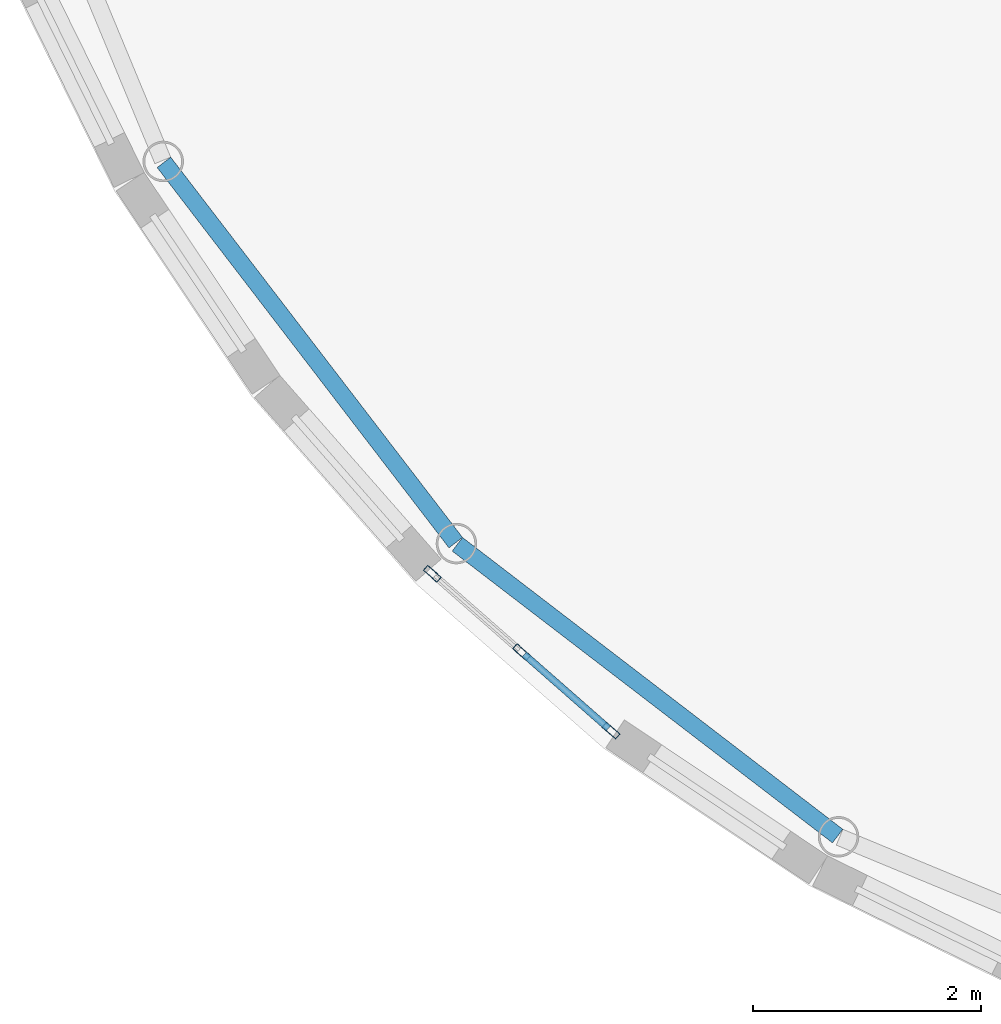
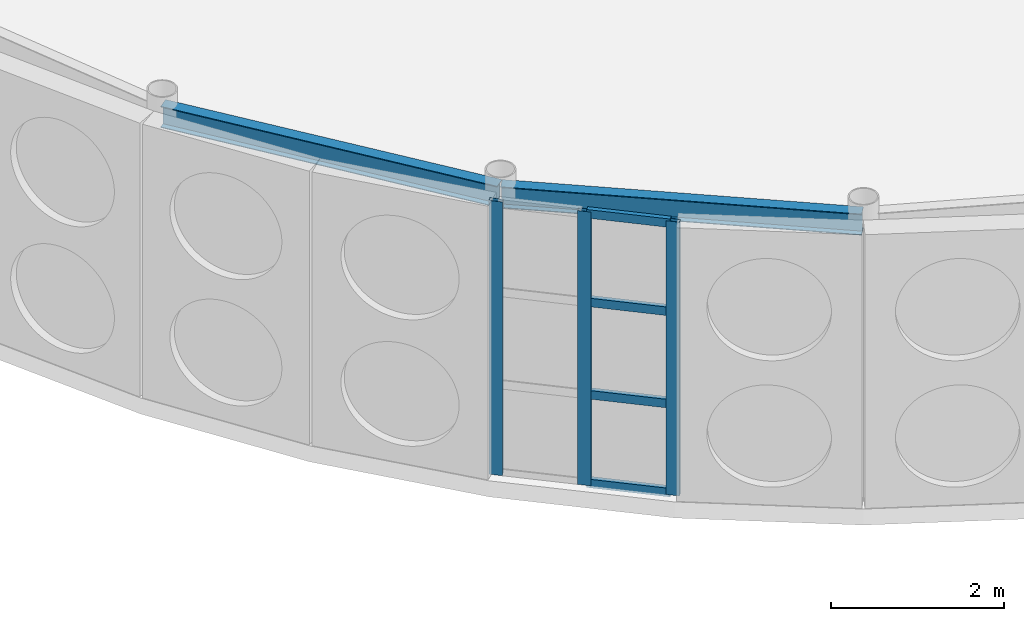
# One storey, part 49 of 165: 7 members, 2 beams, 1 element without a shape of its own.
"""IFC4 building model written with IfcOpenShell, lengths in metres."""

from ifc_helpers import new_model, si_unit, direction, frame, origin, origin_2d, place, context, subcontext, project, spatial, hollow_rectangle, i_section, extrude, material, layer, layer_set, material_profile, profile_set, type_object, element, aggregate, save


model = new_model("IFC4")

# Units and contexts
model_context = context("Model", 3, precision=1e-05, world=origin(), true_north=direction((0.0, 1.0)))
body_context = subcontext(model_context, "Body", "Model", "MODEL_VIEW")
ifc_project = project(units=[si_unit("LENGTHUNIT", "METRE"), si_unit("AREAUNIT", "SQUARE_METRE"), si_unit("VOLUMEUNIT", "CUBIC_METRE"), si_unit("PLANEANGLEUNIT", "RADIAN"), si_unit("MASSUNIT", "GRAM", prefix="KILO")], contexts=[model_context])

# Site, building, storey
site_placement = place(None, origin())
site = spatial("IfcSite", under=ifc_project, at=site_placement, CompositionType="ELEMENT")
building_placement = place(site_placement, origin())
building = spatial("IfcBuilding", under=site, at=building_placement, Name="Montecoro Central Library", CompositionType="ELEMENT")
storey_placement = place(building_placement, frame((0.0, 0.0, 5.10009765625)))
storey = spatial("IfcBuildingStorey", under=building, at=storey_placement, Name="L01", CompositionType="ELEMENT", Elevation=5.10009765625)

# Beams
ifc_material_1 = material(Name="Steel S355", Category="steel")
ifc_material_profile_1 = material_profile(ifc_material_1, i_section(OverallWidth=0.14990234375, OverallDepth=0.300048828125, WebThickness=0.007080078125, FlangeThickness=0.0107421875, at=origin_2d()), Name="IPE 300")
ifc_profile_set_1 = profile_set([ifc_material_profile_1], Name="Steel S355")
beam_type = type_object("IfcBeamType", Name="BM-SP-IPE300", PredefinedType="SPANDREL", material=ifc_profile_set_1)
for number, where, z_axis, x_axis, name in (
    (1, (77.593994140625, 27.302001953125, 3.704833984375), (0.608772883181, -0.793344551064, 0.0), (0.793344551064, 0.608772883181, 0.0), "V1-L01-RING-15"),
    (2, (80.1669921875, 23.952880859375, 3.704833984375), (0.793372600918, -0.608736327249, 0.0), (0.608736327249, 0.793372600918, 0.0), "V1-L01-RING-16"),
):
    element("IfcBeam", number, at=place(storey_placement, frame(where, z_axis=z_axis, x_axis=x_axis)), inside=storey, type_object=beam_type, Name=name, PredefinedType="SPANDREL", context=body_context, shape_type="SweptSolid", body=[
        extrude(i_section(OverallWidth=0.14990234375, OverallDepth=0.300048828125, WebThickness=0.007080078125, FlangeThickness=0.0107421875, at=origin_2d()), origin(), (0.0, 0.0, 1.0), 4.20361328125),
    ])

# Curtain wall, members
ifc_material_2 = material(Name="Bronze-anodised aluminium and low-E glazing", Category="aluminium")
ifc_layer = layer(ifc_material_2, 0.159912109375)
ifc_layer_set = layer_set([ifc_layer], Name="Bronze-anodised aluminium and low-E glazing")
curtain_wall_type = type_object("IfcCurtainWallType", Name="CWT-003", PredefinedType="NOTDEFINED", material=ifc_layer_set)
curtain_wall_placement = place(storey_placement, origin())
curtain_wall = element("IfcCurtainWall", 3, at=curtain_wall_placement, inside=storey, type_object=curtain_wall_type, Name="V1-L01-CW-31", PredefinedType="NOTDEFINED")
ifc_material_3 = material(Name="Bronze-anodised aluminium", Category="aluminium")
ifc_material_profile_2 = material_profile(ifc_material_3, hollow_rectangle(XDim=0.06005859375, YDim=0.159912109375, WallThickness=0.00390625, at=origin_2d()), Name="CWM 160x60x4.0")
ifc_profile_set_2 = profile_set([ifc_material_profile_2], Name="Bronze-anodised aluminium")
member_type_1 = type_object("IfcMemberType", Name="CWM-BRZ-60", PredefinedType="MULLION", material=ifc_profile_set_2)
member_1_placement = place(storey_placement, frame((79.947509765625, 23.694091796875, 0.0), z_axis=(0.0, 0.0, 1.0), x_axis=(0.659692012485, 0.751536059457, 0.0)))
member_1 = element("IfcMember", 4, at=member_1_placement, type_object=member_type_1, Name="CW-003 mullion 1", PredefinedType="MULLION", context=body_context, shape_type="SweptSolid", body=[
    extrude(hollow_rectangle(XDim=0.06005859375, YDim=0.159912109375, WallThickness=0.00390625, at=origin_2d()), origin(), (0.0, 0.0, 1.0), 3.85498046875),
])
member_2_placement = place(storey_placement, frame((80.73095703125, 23.006591796875, 0.0), z_axis=(0.0, 0.0, 1.0), x_axis=(0.659692012485, 0.751536059457, 0.0)))
member_2 = element("IfcMember", 5, at=member_2_placement, type_object=member_type_1, Name="CW-003 mullion 2", PredefinedType="MULLION", context=body_context, shape_type="SweptSolid", body=[
    extrude(hollow_rectangle(XDim=0.06005859375, YDim=0.159912109375, WallThickness=0.00390625, at=origin_2d()), origin(), (0.0, 0.0, 1.0), 3.85498046875),
])
member_3_placement = place(storey_placement, frame((81.514404296875, 22.31884765625, 0.0), z_axis=(0.0, 0.0, 1.0), x_axis=(0.659692012485, 0.751536059457, 0.0)))
member_3 = element("IfcMember", 6, at=member_3_placement, type_object=member_type_1, Name="CW-003 mullion 3", PredefinedType="MULLION", context=body_context, shape_type="SweptSolid", body=[
    extrude(hollow_rectangle(XDim=0.06005859375, YDim=0.159912109375, WallThickness=0.00390625, at=origin_2d()), origin(), (0.0, 0.0, 1.0), 3.85498046875),
])
ifc_material_profile_3 = material_profile(ifc_material_3, hollow_rectangle(XDim=0.06005859375, YDim=0.1201171875, WallThickness=0.00390625, at=origin_2d()), Name="CWT 120x60x4.0")
ifc_profile_set_3 = profile_set([ifc_material_profile_3], Name="Bronze-anodised aluminium")
member_type_2 = type_object("IfcMemberType", Name="CWT-BRZ-60", PredefinedType="USERDEFINED", material=ifc_profile_set_3)
member_4_placement = place(storey_placement, frame((80.753662109375, 22.98681640625, 0.02978515625), z_axis=(0.751467269885, -0.659770370881, 0.0), x_axis=(0.659770370881, 0.751467269885, 0.0)))
member_4 = element("IfcMember", 7, at=member_4_placement, type_object=member_type_2, Name="CW-003 transom 2.1", ObjectType="TRANSOM", PredefinedType="USERDEFINED", context=body_context, shape_type="SweptSolid", body=[
    extrude(hollow_rectangle(XDim=0.06005859375, YDim=0.1201171875, WallThickness=0.00390625, at=origin_2d()), origin(), (0.0, 0.0, 1.0), 0.982421875),
])
member_5_placement = place(storey_placement, frame((80.753662109375, 22.98681640625, 1.27978515625), z_axis=(0.751467269885, -0.659770370881, 0.0), x_axis=(0.659770370881, 0.751467269885, 0.0)))
member_5 = element("IfcMember", 8, at=member_5_placement, type_object=member_type_2, Name="CW-003 transom 2.2", ObjectType="TRANSOM", PredefinedType="USERDEFINED", context=body_context, shape_type="SweptSolid", body=[
    extrude(hollow_rectangle(XDim=0.06005859375, YDim=0.1201171875, WallThickness=0.00390625, at=origin_2d()), origin(), (0.0, 0.0, 1.0), 0.982421875),
])
member_6_placement = place(storey_placement, frame((80.753662109375, 22.98681640625, 2.579833984375), z_axis=(0.751467269885, -0.659770370881, 0.0), x_axis=(0.659770370881, 0.751467269885, 0.0)))
member_6 = element("IfcMember", 9, at=member_6_placement, type_object=member_type_2, Name="CW-003 transom 2.3", ObjectType="TRANSOM", PredefinedType="USERDEFINED", context=body_context, shape_type="SweptSolid", body=[
    extrude(hollow_rectangle(XDim=0.06005859375, YDim=0.1201171875, WallThickness=0.00390625, at=origin_2d()), origin(), (0.0, 0.0, 1.0), 0.982421875),
])
member_7_placement = place(storey_placement, frame((80.753662109375, 22.98681640625, 3.824951171875), z_axis=(0.751467269885, -0.659770370881, 0.0), x_axis=(0.659770370881, 0.751467269885, 0.0)))
member_7 = element("IfcMember", 10, at=member_7_placement, type_object=member_type_2, Name="CW-003 transom 2.4", ObjectType="TRANSOM", PredefinedType="USERDEFINED", context=body_context, shape_type="SweptSolid", body=[
    extrude(hollow_rectangle(XDim=0.06005859375, YDim=0.1201171875, WallThickness=0.00390625, at=origin_2d()), origin(), (0.0, 0.0, 1.0), 0.982421875),
])
aggregate(curtain_wall, [member_1, member_2, member_3, member_4, member_5, member_6, member_7])

save(model, "model.ifc")
